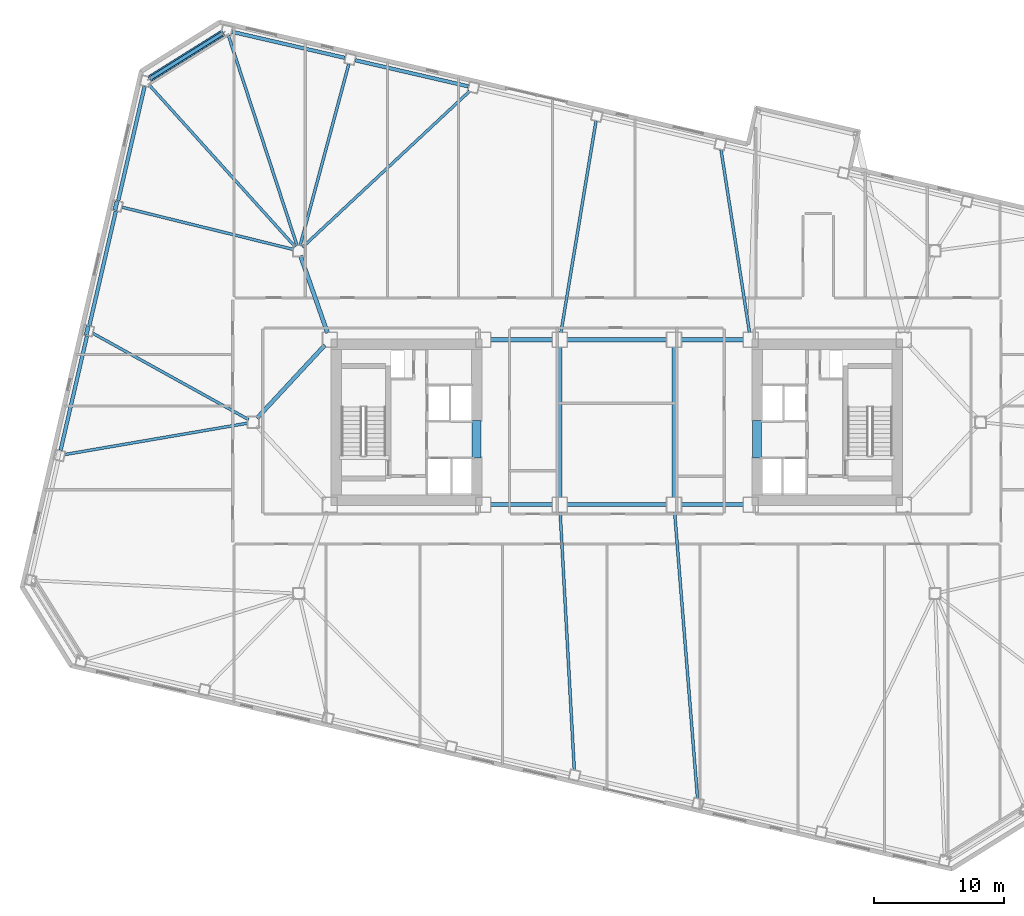
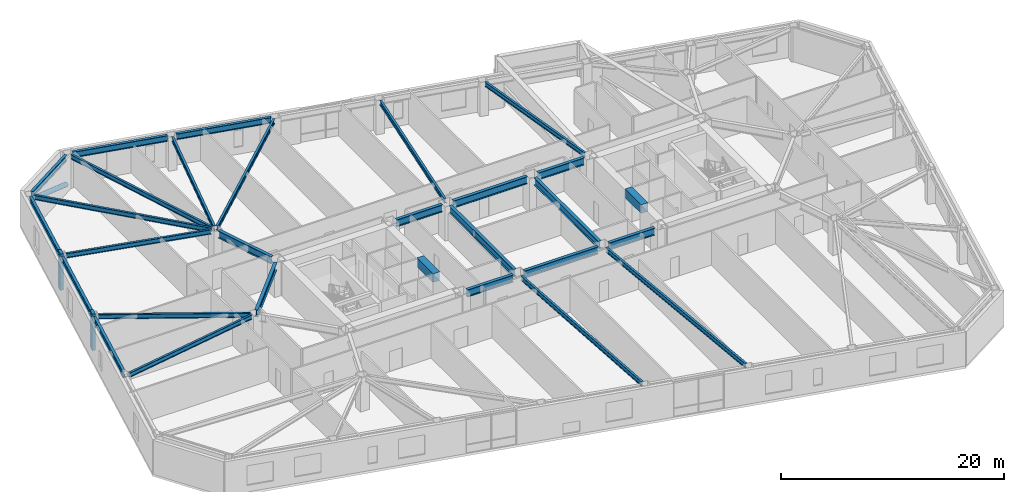
# One storey, part 7 of 20: 29 beams, 3 members.
"""IFC4 building model written with IfcOpenShell, lengths in metres."""

from ifc_helpers import new_model, si_unit, direction, frame, origin, origin_2d, place, context, subcontext, project, spatial, rectangle, hollow_circle, i_section, extrude, material, material_profile, profile_set, type_object, element, save


model = new_model("IFC4")

# Units and contexts
model_context = context("Model", 3, precision=1e-05, world=origin(), true_north=direction((0.0, 1.0)))
body_context = subcontext(model_context, "Body", "Model", "MODEL_VIEW")
ifc_project = project(units=[si_unit("LENGTHUNIT", "METRE"), si_unit("AREAUNIT", "SQUARE_METRE"), si_unit("VOLUMEUNIT", "CUBIC_METRE"), si_unit("PLANEANGLEUNIT", "RADIAN"), si_unit("MASSUNIT", "GRAM", prefix="KILO")], contexts=[model_context])

# Site, building, storey
site_placement = place(None, origin())
site = spatial("IfcSite", under=ifc_project, at=site_placement, CompositionType="ELEMENT")
building_placement = place(site_placement, origin())
building = spatial("IfcBuilding", under=site, at=building_placement, Name="Tavrogorsk Clinical Tower", CompositionType="ELEMENT")
storey_placement = place(building_placement, frame((0.0, 0.0, 67.39990234375)))
storey = spatial("IfcBuildingStorey", under=building, at=storey_placement, Name="L14", CompositionType="ELEMENT", Elevation=67.39990234375)

# Beams
ifc_material_1 = material(Name="Concrete B80", Category="concrete")
ifc_material_profile_1 = material_profile(ifc_material_1, rectangle(XDim=0.699951171875, YDim=0.949951171875, at=origin_2d()), Name="RC-CB-700x950")
ifc_profile_set_1 = profile_set([ifc_material_profile_1], Name="Concrete B80")
beam_type_1 = type_object("IfcBeamType", Name="CouplingBeam_RC700x950", PredefinedType="LINTEL", material=ifc_profile_set_1)
for number, where, z_axis, x_axis, name in (
    (1, (-10.800048828125, -2.75, 3.26513671875), (0.0, 1.0, 0.0), (-1.0, 0.0, 0.0), "L14 Core West Coupling Beam"),
    (2, (10.800048828125, -2.75, 3.26513671875), (0.0, 1.0, 0.0), (-1.0, 0.0, 0.0), "L14 Core East Coupling Beam"),
):
    element("IfcBeam", number, at=place(storey_placement, frame(where, z_axis=z_axis, x_axis=x_axis)), inside=storey, type_object=beam_type_1, Name=name, PredefinedType="LINTEL", context=body_context, shape_type="SweptSolid", body=[
        extrude(rectangle(XDim=0.699951171875, YDim=0.949951171875, at=origin_2d()), origin(), (0.0, 0.0, 1.0), 2.89990234375),
    ])

# Member
ifc_material_2 = material(Name="Structural steel S440", Category="steel")
ifc_material_profile_2 = material_profile(ifc_material_2, hollow_circle(Radius=0.25390625, WallThickness=0.02001953125, at=origin_2d()), Name="CHS-508x20")
ifc_profile_set_2 = profile_set([ifc_material_profile_2], Name="Structural steel S440")
member_type_1 = type_object("IfcMemberType", Name="ExoBrace_CHS508", PredefinedType="BRACE", material=ifc_profile_set_2)
member_placement = place(storey_placement, frame((-30.364013671875, 29.9541015625, 0.442626953125), z_axis=(-0.794678685861, -0.496570017703, 0.349147538667), x_axis=(0.529919005048, -0.848048258113, 0.0)))
element("IfcMember", 3, at=member_placement, inside=storey, type_object=member_type_1, Name="L14 Corner Exoskeleton Brace N8-W1", PredefinedType="BRACE", context=body_context, shape_type="SweptSolid", body=[
    extrude(hollow_circle(Radius=0.25390625, WallThickness=0.02001953125, at=origin_2d()), origin(), (0.0, 0.0, 1.0), 7.03173828125),
])

# Beams
ifc_material_3 = material(Name="Structural steel S355", Category="steel")
ifc_material_profile_3 = material_profile(ifc_material_3, i_section(OverallWidth=0.219970703125, OverallDepth=0.5, WebThickness=0.012939453125, FlangeThickness=0.02001953125, at=origin_2d()), Name="B-500x220x13x20")
ifc_profile_set_3 = profile_set([ifc_material_profile_3], Name="Structural steel S355")
beam_type_2 = type_object("IfcBeamType", Name="FloorBeam_B500", PredefinedType="BEAM", material=ifc_profile_set_3)
beam_1_placement = place(storey_placement, frame((-4.369384765625, -6.9091796875, 3.489990234375), z_axis=(0.054826938013, -0.998495872234, 0.0), x_axis=(0.998495872234, 0.054826938013, 0.0)))
element("IfcBeam", 4, at=beam_1_placement, inside=storey, type_object=beam_type_2, Name="L14 Radial Floor Beam S5", PredefinedType="BEAM", context=body_context, shape_type="SweptSolid", body=[
    extrude(i_section(OverallWidth=0.219970703125, OverallDepth=0.5, WebThickness=0.012939453125, FlangeThickness=0.02001953125, at=origin_2d()), origin(), (0.0, 0.0, 1.0), 19.891357421875),
])
beam_2_placement = place(storey_placement, frame((4.444580078125, -6.908203125, 3.489990234375), z_axis=(0.079775043579, -0.996812892384, 0.0), x_axis=(0.996812892384, 0.079775043579, 0.0)))
element("IfcBeam", 5, at=beam_2_placement, inside=storey, type_object=beam_type_2, Name="L14 Radial Floor Beam S6", PredefinedType="BEAM", context=body_context, shape_type="SweptSolid", body=[
    extrude(i_section(OverallWidth=0.219970703125, OverallDepth=0.5, WebThickness=0.012939453125, FlangeThickness=0.02001953125, at=origin_2d()), origin(), (0.0, 0.0, 1.0), 22.12646484375),
])
beam_3_placement = place(storey_placement, frame((10.213623046875, 6.9033203125, 3.489990234375), z_axis=(-0.154089917001, 0.988056829073, 0.0), x_axis=(-0.988056829073, -0.154089917001, 0.0)))
element("IfcBeam", 6, at=beam_3_placement, inside=storey, type_object=beam_type_2, Name="L14 Radial Floor Beam N4", PredefinedType="BEAM", context=body_context, shape_type="SweptSolid", body=[
    extrude(i_section(OverallWidth=0.219970703125, OverallDepth=0.5, WebThickness=0.012939453125, FlangeThickness=0.02001953125, at=origin_2d()), origin(), (0.0, 0.0, 1.0), 14.24853515625),
])
beam_4_placement = place(storey_placement, frame((-4.308349609375, 6.90234375, 3.489990234375), z_axis=(0.163563683006, 0.986532777763, 0.0), x_axis=(-0.986532777763, 0.163563683006, 0.0)))
element("IfcBeam", 7, at=beam_4_placement, inside=storey, type_object=beam_type_2, Name="L14 Radial Floor Beam N5", PredefinedType="BEAM", context=body_context, shape_type="SweptSolid", body=[
    extrude(i_section(OverallWidth=0.219970703125, OverallDepth=0.5, WebThickness=0.012939453125, FlangeThickness=0.02001953125, at=origin_2d()), origin(), (0.0, 0.0, 1.0), 16.4951171875),
])
beam_5_placement = place(storey_placement, frame((-24.200439453125, 13.47998046875, 3.489990234375), z_axis=(0.730781163302, 0.682611816015, 0.0), x_axis=(-0.682611816015, 0.730781163302, 0.0)))
element("IfcBeam", 8, at=beam_5_placement, inside=storey, type_object=beam_type_2, Name="L14 Radial Floor Beam N6", PredefinedType="BEAM", context=body_context, shape_type="SweptSolid", body=[
    extrude(i_section(OverallWidth=0.219970703125, OverallDepth=0.5, WebThickness=0.012939453125, FlangeThickness=0.02001953125, at=origin_2d()), origin(), (0.0, 0.0, 1.0), 17.597412109375),
])
beam_6_placement = place(storey_placement, frame((-24.393798828125, 13.595947265625, 3.489990234375), z_axis=(0.25900262632, 0.965876617151, 0.0), x_axis=(-0.965876617151, 0.25900262632, 0.0)))
element("IfcBeam", 9, at=beam_6_placement, inside=storey, type_object=beam_type_2, Name="L14 Radial Floor Beam N7", PredefinedType="BEAM", context=body_context, shape_type="SweptSolid", body=[
    extrude(i_section(OverallWidth=0.219970703125, OverallDepth=0.5, WebThickness=0.012939453125, FlangeThickness=0.02001953125, at=origin_2d()), origin(), (0.0, 0.0, 1.0), 14.46728515625),
])
beam_7_placement = place(storey_placement, frame((-24.62744140625, 13.58984375, 3.489990234375), z_axis=(-0.310546210819, 0.950558283824, 0.0), x_axis=(-0.950558283824, -0.310546210819, 0.0)))
element("IfcBeam", 10, at=beam_7_placement, inside=storey, type_object=beam_type_2, Name="L14 Radial Floor Beam N8", PredefinedType="BEAM", context=body_context, shape_type="SweptSolid", body=[
    extrude(i_section(OverallWidth=0.219970703125, OverallDepth=0.5, WebThickness=0.012939453125, FlangeThickness=0.02001953125, at=origin_2d()), origin(), (0.0, 0.0, 1.0), 17.0205078125),
])
beam_8_placement = place(storey_placement, frame((-24.774658203125, 13.50439453125, 3.489990234375), z_axis=(-0.669660294237, 0.742667550337, 0.0), x_axis=(-0.742667550337, -0.669660294237, 0.0)))
element("IfcBeam", 11, at=beam_8_placement, inside=storey, type_object=beam_type_2, Name="L14 Radial Floor Beam W1", PredefinedType="BEAM", context=body_context, shape_type="SweptSolid", body=[
    extrude(i_section(OverallWidth=0.219970703125, OverallDepth=0.5, WebThickness=0.012939453125, FlangeThickness=0.02001953125, at=origin_2d()), origin(), (0.0, 0.0, 1.0), 16.76708984375),
])
beam_9_placement = place(storey_placement, frame((-24.89794921875, 13.298095703125, 3.489990234375), z_axis=(-0.970889910259, 0.23952616174, 0.0), x_axis=(-0.23952616174, -0.970889910259, 0.0)))
element("IfcBeam", 12, at=beam_9_placement, inside=storey, type_object=beam_type_2, Name="L14 Radial Floor Beam W2", PredefinedType="BEAM", context=body_context, shape_type="SweptSolid", body=[
    extrude(i_section(OverallWidth=0.219970703125, OverallDepth=0.5, WebThickness=0.012939453125, FlangeThickness=0.02001953125, at=origin_2d()), origin(), (0.0, 0.0, 1.0), 13.595947265625),
])
beam_10_placement = place(storey_placement, frame((-28.358642578125, 0.19873046875, 3.489990234375), z_axis=(-0.874654711976, 0.484746464472, 0.0), x_axis=(-0.484746464472, -0.874654711976, 0.0)))
element("IfcBeam", 13, at=beam_10_placement, inside=storey, type_object=beam_type_2, Name="L14 Radial Floor Beam W3", PredefinedType="BEAM", context=body_context, shape_type="SweptSolid", body=[
    extrude(i_section(OverallWidth=0.219970703125, OverallDepth=0.5, WebThickness=0.012939453125, FlangeThickness=0.02001953125, at=origin_2d()), origin(), (0.0, 0.0, 1.0), 13.7158203125),
])
beam_11_placement = place(storey_placement, frame((-28.404052734375, -0.0693359375, 3.489990234375), z_axis=(-0.985592408786, -0.169137824698, 0.0), x_axis=(0.169137824698, -0.985592408786, 0.0)))
element("IfcBeam", 14, at=beam_11_placement, inside=storey, type_object=beam_type_2, Name="L14 Radial Floor Beam W4", PredefinedType="BEAM", context=body_context, shape_type="SweptSolid", body=[
    extrude(i_section(OverallWidth=0.219970703125, OverallDepth=0.5, WebThickness=0.012939453125, FlangeThickness=0.02001953125, at=origin_2d()), origin(), (0.0, 0.0, 1.0), 14.33056640625),
])

# Members
ifc_material_4 = material(Name="Precast concrete B45 with limestone cladding", Category="masonry")
ifc_material_profile_4 = material_profile(ifc_material_4, rectangle(XDim=0.320068359375, YDim=0.719970703125, at=origin_2d()), Name="LIMESTONE-FIN-320x720")
ifc_profile_set_4 = profile_set([ifc_material_profile_4], Name="Precast concrete B45 with limestone cladding")
member_type_2 = type_object("IfcMemberType", Name="LimestonePleatFin_320x720", PredefinedType="USERDEFINED", material=ifc_profile_set_4)
for number, where, z_axis, x_axis, name in (
    (15, (-38.572265625, 16.67041015625, 0.0), (0.0, 0.0, 1.0), (0.974370064785, -0.224951054344, 0.0), "L14 W Pleated Stone Fin 1"),
    (16, (-40.7900390625, 7.06298828125, 0.0), (0.0, 0.0, 1.0), (0.974370064785, -0.224951054344, 0.0), "L14 W Pleated Stone Fin 2"),
):
    element("IfcMember", number, at=place(storey_placement, frame(where, z_axis=z_axis, x_axis=x_axis)), inside=storey, type_object=member_type_2, Name=name, ObjectType="FIN", PredefinedType="USERDEFINED", context=body_context, shape_type="SweptSolid", body=[
        extrude(rectangle(XDim=0.320068359375, YDim=0.719970703125, at=origin_2d()), origin(), (0.0, 0.0, 1.0), 4.0),
    ])

# Beams
ifc_material_5 = material(Name="Structural steel S390", Category="steel")
ifc_material_profile_5 = material_profile(ifc_material_5, i_section(OverallWidth=0.320068359375, OverallDepth=0.800048828125, WebThickness=0.02001953125, FlangeThickness=0.033935546875, at=origin_2d()), Name="B-800x320x20x34")
ifc_profile_set_5 = profile_set([ifc_material_profile_5], Name="Structural steel S390")
beam_type_3 = type_object("IfcBeamType", Name="PrimaryGirder_B800", PredefinedType="USERDEFINED", material=ifc_profile_set_5)
for number, where, z_axis, x_axis, name in (
    (17, (-9.739990234375, -6.35009765625, 3.340087890625), (1.0, 0.0, 0.0), (0.0, 1.0, 0.0), "L14 Primary Spine Girder MG-01"),
    (18, (-9.739990234375, 6.35009765625, 3.340087890625), (1.0, 0.0, 0.0), (0.0, 1.0, 0.0), "L14 Primary Spine Girder MG-02"),
):
    element("IfcBeam", number, at=place(storey_placement, frame(where, z_axis=z_axis, x_axis=x_axis)), inside=storey, type_object=beam_type_3, Name=name, ObjectType="GIRDER", PredefinedType="USERDEFINED", context=body_context, shape_type="SweptSolid", body=[
        extrude(i_section(OverallWidth=0.320068359375, OverallDepth=0.800048828125, WebThickness=0.02001953125, FlangeThickness=0.033935546875, at=origin_2d()), origin(), (0.0, 0.0, 1.0), 4.780029296875),
    ])
for number, where, z_axis, x_axis, name in (
    (19, (-3.840087890625, -6.35009765625, 3.340087890625), (1.0, 0.0, 0.0), (0.0, 1.0, 0.0), "L14 Primary Spine Girder MG-03"),
    (20, (-3.840087890625, 6.35009765625, 3.340087890625), (1.0, 0.0, 0.0), (0.0, 1.0, 0.0), "L14 Primary Spine Girder MG-04"),
):
    element("IfcBeam", number, at=place(storey_placement, frame(where, z_axis=z_axis, x_axis=x_axis)), inside=storey, type_object=beam_type_3, Name=name, ObjectType="GIRDER", PredefinedType="USERDEFINED", context=body_context, shape_type="SweptSolid", body=[
        extrude(i_section(OverallWidth=0.320068359375, OverallDepth=0.800048828125, WebThickness=0.02001953125, FlangeThickness=0.033935546875, at=origin_2d()), origin(), (0.0, 0.0, 1.0), 7.68017578125),
    ])
for number, where, z_axis, x_axis, name in (
    (21, (4.9599609375, -6.35009765625, 3.340087890625), (1.0, 0.0, 0.0), (0.0, 1.0, 0.0), "L14 Primary Spine Girder MG-05"),
    (22, (4.9599609375, 6.35009765625, 3.340087890625), (1.0, 0.0, 0.0), (0.0, 1.0, 0.0), "L14 Primary Spine Girder MG-06"),
):
    element("IfcBeam", number, at=place(storey_placement, frame(where, z_axis=z_axis, x_axis=x_axis)), inside=storey, type_object=beam_type_3, Name=name, ObjectType="GIRDER", PredefinedType="USERDEFINED", context=body_context, shape_type="SweptSolid", body=[
        extrude(i_section(OverallWidth=0.320068359375, OverallDepth=0.800048828125, WebThickness=0.02001953125, FlangeThickness=0.033935546875, at=origin_2d()), origin(), (0.0, 0.0, 1.0), 4.780029296875),
    ])
for number, where, z_axis, x_axis, name in (
    (23, (-4.39990234375, -5.7900390625, 3.340087890625), (0.0, 1.0, 0.0), (-1.0, 0.0, 0.0), "L14 Primary Spine Girder MG-07"),
    (24, (4.39990234375, -5.7900390625, 3.340087890625), (0.0, 1.0, 0.0), (-1.0, 0.0, 0.0), "L14 Primary Spine Girder MG-08"),
):
    element("IfcBeam", number, at=place(storey_placement, frame(where, z_axis=z_axis, x_axis=x_axis)), inside=storey, type_object=beam_type_3, Name=name, ObjectType="GIRDER", PredefinedType="USERDEFINED", context=body_context, shape_type="SweptSolid", body=[
        extrude(i_section(OverallWidth=0.320068359375, OverallDepth=0.800048828125, WebThickness=0.02001953125, FlangeThickness=0.033935546875, at=origin_2d()), origin(), (0.0, 0.0, 1.0), 11.580078125),
    ])
beam_12_placement = place(storey_placement, frame((-24.364501953125, 12.81298828125, 3.340087890625), z_axis=(0.330668611543, -0.943746930771, 0.0), x_axis=(0.943746930771, 0.330668611543, 0.0)))
element("IfcBeam", 25, at=beam_12_placement, inside=storey, type_object=beam_type_3, Name="L14 Spine Link Girder OPG-3", ObjectType="GIRDER", PredefinedType="USERDEFINED", context=body_context, shape_type="SweptSolid", body=[
    extrude(i_section(OverallWidth=0.320068359375, OverallDepth=0.800048828125, WebThickness=0.02001953125, FlangeThickness=0.033935546875, at=origin_2d()), origin(), (0.0, 0.0, 1.0), 6.288330078125),
])
beam_13_placement = place(storey_placement, frame((-27.720947265625, 0.30029296875, 3.340087890625), z_axis=(0.680671250221, 0.732589004233, 0.0), x_axis=(-0.732589004233, 0.680671250221, 0.0)))
element("IfcBeam", 26, at=beam_13_placement, inside=storey, type_object=beam_type_3, Name="L14 Spine Link Girder OPG-6", ObjectType="GIRDER", PredefinedType="USERDEFINED", context=body_context, shape_type="SweptSolid", body=[
    extrude(i_section(OverallWidth=0.320068359375, OverallDepth=0.800048828125, WebThickness=0.02001953125, FlangeThickness=0.033935546875, at=origin_2d()), origin(), (0.0, 0.0, 1.0), 7.697998046875),
])
ifc_material_6 = material(Name="Structural steel S390", Category="steel")
ifc_material_profile_6 = material_profile(ifc_material_6, i_section(OverallWidth=0.280029296875, OverallDepth=0.64990234375, WebThickness=0.01611328125, FlangeThickness=0.02490234375, at=origin_2d()), Name="B-650x280x16x25")
ifc_profile_set_6 = profile_set([ifc_material_profile_6], Name="Structural steel S390")
beam_type_4 = type_object("IfcBeamType", Name="SpandrelBeam_B650", PredefinedType="SPANDREL", material=ifc_profile_set_6)
for number, where, z_axis, x_axis, name in (
    (27, (-11.43994140625, 25.862548828125, 3.4150390625), (-0.974372766602, 0.224939351168, 0.0), (-0.224939351168, -0.974372766602, 0.0), "L14 Perimeter Spandrel N6-N7"),
    (28, (-20.9384765625, 28.055419921875, 3.4150390625), (-0.974366775889, 0.224965299645, 0.0), (-0.224965299645, -0.974366775889, 0.0), "L14 Perimeter Spandrel N7-N8"),
):
    element("IfcBeam", number, at=place(storey_placement, frame(where, z_axis=z_axis, x_axis=x_axis)), inside=storey, type_object=beam_type_4, Name=name, PredefinedType="SPANDREL", context=body_context, shape_type="SweptSolid", body=[
        extrude(i_section(OverallWidth=0.280029296875, OverallDepth=0.64990234375, WebThickness=0.01611328125, FlangeThickness=0.02490234375, at=origin_2d()), origin(), (0.0, 0.0, 1.0), 8.9326171875),
    ])
beam_14_placement = place(storey_placement, frame((-30.3857421875, 29.9404296875, 3.4150390625), z_axis=(-0.848044454239, -0.529925092475, 0.0), x_axis=(0.529925092475, -0.848044454239, 0.0)))
element("IfcBeam", 29, at=beam_14_placement, inside=storey, type_object=beam_type_4, Name="L14 Perimeter Spandrel N8-W1", PredefinedType="SPANDREL", context=body_context, shape_type="SweptSolid", body=[
    extrude(i_section(OverallWidth=0.280029296875, OverallDepth=0.64990234375, WebThickness=0.01611328125, FlangeThickness=0.02490234375, at=origin_2d()), origin(), (0.0, 0.0, 1.0), 6.537841796875),
])
beam_15_placement = place(storey_placement, frame((-36.367919921875, 25.862060546875, 3.4150390625), z_axis=(-0.224952169462, -0.974369807339, 0.0), x_axis=(0.974369807339, -0.224952169462, 0.0)))
element("IfcBeam", 30, at=beam_15_placement, inside=storey, type_object=beam_type_4, Name="L14 Perimeter Spandrel W1-W2", PredefinedType="SPANDREL", context=body_context, shape_type="SweptSolid", body=[
    extrude(i_section(OverallWidth=0.280029296875, OverallDepth=0.64990234375, WebThickness=0.01611328125, FlangeThickness=0.02490234375, at=origin_2d()), origin(), (0.0, 0.0, 1.0), 9.043701171875),
])
beam_16_placement = place(storey_placement, frame((-38.5859375, 16.2548828125, 3.4150390625), z_axis=(-0.224946252597, -0.974371173343, 0.0), x_axis=(0.974371173343, -0.224946252597, 0.0)))
element("IfcBeam", 31, at=beam_16_placement, inside=storey, type_object=beam_type_4, Name="L14 Perimeter Spandrel W2-W3", PredefinedType="SPANDREL", context=body_context, shape_type="SweptSolid", body=[
    extrude(i_section(OverallWidth=0.280029296875, OverallDepth=0.64990234375, WebThickness=0.01611328125, FlangeThickness=0.02490234375, at=origin_2d()), origin(), (0.0, 0.0, 1.0), 9.0439453125),
])
beam_17_placement = place(storey_placement, frame((-40.803955078125, 6.6474609375, 3.4150390625), z_axis=(-0.224952169462, -0.974369807339, 0.0), x_axis=(0.974369807339, -0.224952169462, 0.0)))
element("IfcBeam", 32, at=beam_17_placement, inside=storey, type_object=beam_type_4, Name="L14 Perimeter Spandrel W3-W4", PredefinedType="SPANDREL", context=body_context, shape_type="SweptSolid", body=[
    extrude(i_section(OverallWidth=0.280029296875, OverallDepth=0.64990234375, WebThickness=0.01611328125, FlangeThickness=0.02490234375, at=origin_2d()), origin(), (0.0, 0.0, 1.0), 9.043701171875),
])

save(model, "model.ifc")
